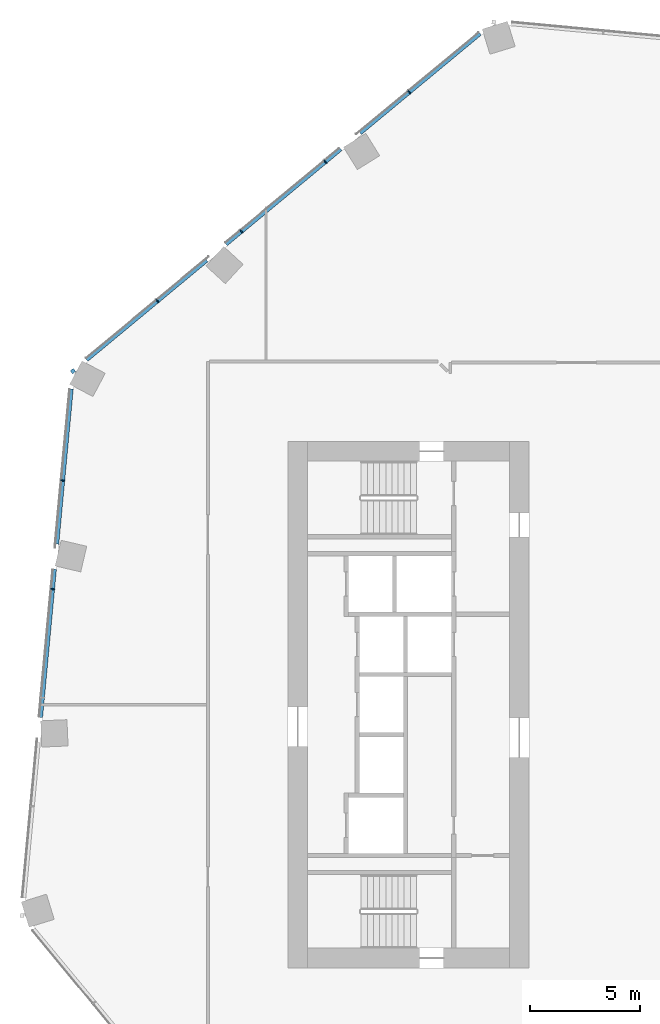
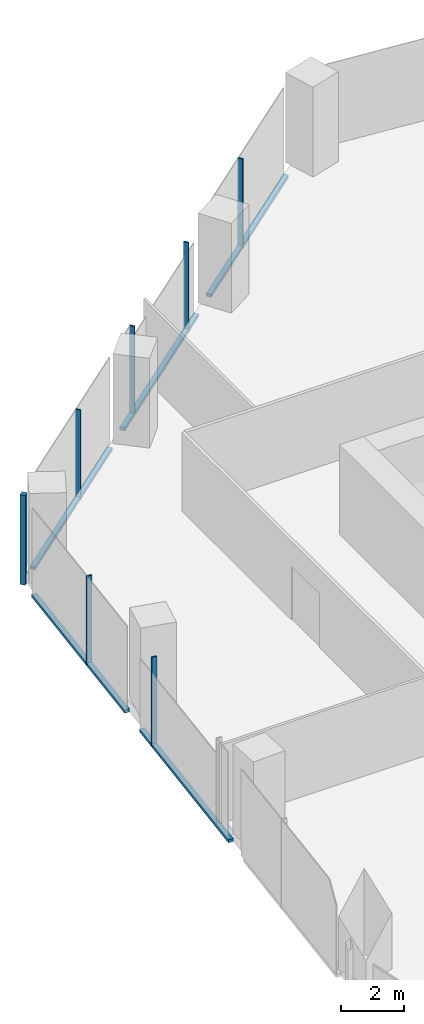
# One storey, part 10 of 23: 12 members, 2 elements without a shape of their own.
"""IFC4 building model written with IfcOpenShell, lengths in metres."""

from ifc_helpers import new_model, si_unit, direction, frame, origin, origin_2d, place, context, subcontext, project, spatial, rectangle, extrude, material, material_profile, profile_set, type_object, element, aggregate, save


model = new_model("IFC4")

# Units and contexts
model_context = context("Model", 3, precision=1e-05, world=origin(), true_north=direction((0.0, 1.0)))
body_context = subcontext(model_context, "Body", "Model", "MODEL_VIEW")
ifc_project = project(units=[si_unit("LENGTHUNIT", "METRE"), si_unit("AREAUNIT", "SQUARE_METRE"), si_unit("VOLUMEUNIT", "CUBIC_METRE"), si_unit("PLANEANGLEUNIT", "RADIAN"), si_unit("MASSUNIT", "GRAM", prefix="KILO")], contexts=[model_context])

# Site, building, storey
site_placement = place(None, origin())
site = spatial("IfcSite", under=ifc_project, at=site_placement, CompositionType="ELEMENT")
building_placement = place(site_placement, origin())
building = spatial("IfcBuilding", under=site, at=building_placement, Name="Orlundy Tower", CompositionType="ELEMENT")
storey_placement = place(building_placement, frame((0.0, 0.0, 181.10009765625)))
storey = spatial("IfcBuildingStorey", under=building, at=storey_placement, Name="L47", CompositionType="ELEMENT", Elevation=181.10009765625)

# Curtain wall, member
ifc_material_1 = material(Name="Aluminium bronze anodised", Category="aluminium")
curtain_wall_type = type_object("IfcCurtainWallType", Name="CW1 wall", PredefinedType="NOTDEFINED", material=ifc_material_1)
curtain_wall_1_placement = place(storey_placement, origin())
curtain_wall_1 = element("IfcCurtainWall", 1, at=curtain_wall_1_placement, inside=storey, type_object=curtain_wall_type, Name="CW1 run 03", PredefinedType="NOTDEFINED")
ifc_material_2 = material(Name="Aluminium bronze anodised", Category="aluminium")
ifc_material_profile_1 = material_profile(ifc_material_2, rectangle(XDim=0.179931640625, YDim=0.179931640625, at=origin_2d()), Name="CW1 corner post 180x180")
ifc_profile_set_1 = profile_set([ifc_material_profile_1], Name="Aluminium bronze anodised")
member_type_1 = type_object("IfcMemberType", Name="CW1 corner post 180x180", PredefinedType="MULLION", material=ifc_profile_set_1)
member_1_placement = place(storey_placement, frame((-28.801025390625, 15.20654296875, -0.420166015625), z_axis=(0.0, 0.0, 1.0), x_axis=(-0.638318424445, 0.769772426769, 0.0)))
member_1 = element("IfcMember", 2, at=member_1_placement, type_object=member_type_1, Name="CW1 mullion 14", PredefinedType="MULLION", context=body_context, shape_type="SweptSolid", body=[
    extrude(rectangle(XDim=0.179931640625, YDim=0.179931640625, at=origin_2d()), origin(), (0.0, 0.0, 1.0), 3.5),
])

# Curtain wall, members
curtain_wall_2_placement = place(storey_placement, origin())
curtain_wall_2 = element("IfcCurtainWall", 3, at=curtain_wall_2_placement, inside=storey, type_object=curtain_wall_type, Name="CW1 run 02", PredefinedType="NOTDEFINED")
ifc_material_3 = material(Name="Aluminium bronze anodised", Category="aluminium")
ifc_material_profile_2 = material_profile(ifc_material_3, rectangle(XDim=0.179931640625, YDim=0.050048828125, at=origin_2d()), Name="CW1 mullion 50x180")
ifc_profile_set_2 = profile_set([ifc_material_profile_2], Name="Aluminium bronze anodised")
member_type_2 = type_object("IfcMemberType", Name="CW1 mullion 50x180", PredefinedType="MULLION", material=ifc_profile_set_2)
member_2_placement = place(storey_placement, frame((-29.728515625, 5.271484375, -0.420166015625), z_axis=(0.0, 0.0, 1.0), x_axis=(-0.995670958136, 0.092948066811, 0.0)))
member_2 = element("IfcMember", 4, at=member_2_placement, type_object=member_type_2, Name="CW1 mullion 12", PredefinedType="MULLION", context=body_context, shape_type="SweptSolid", body=[
    extrude(rectangle(XDim=0.179931640625, YDim=0.050048828125, at=origin_2d()), origin(), (0.0, 0.0, 1.0), 3.5),
])
member_3_placement = place(storey_placement, frame((-29.2666015625, 10.220458984375, -0.420166015625), z_axis=(0.0, 0.0, 1.0), x_axis=(-0.995670958136, 0.092948066811, 0.0)))
member_3 = element("IfcMember", 5, at=member_3_placement, type_object=member_type_2, Name="CW1 mullion 13", PredefinedType="MULLION", context=body_context, shape_type="SweptSolid", body=[
    extrude(rectangle(XDim=0.179931640625, YDim=0.050048828125, at=origin_2d()), origin(), (0.0, 0.0, 1.0), 3.5),
])

# Member
member_4_placement = place(storey_placement, frame((-24.9462890625, 18.403076171875, -0.420166015625), z_axis=(0.0, 0.0, 1.0), x_axis=(-0.638318424445, 0.769772426769, 0.0)))
member_4 = element("IfcMember", 6, at=member_4_placement, type_object=member_type_2, Name="CW1 mullion 15", PredefinedType="MULLION", context=body_context, shape_type="SweptSolid", body=[
    extrude(rectangle(XDim=0.179931640625, YDim=0.050048828125, at=origin_2d()), origin(), (0.0, 0.0, 1.0), 3.5),
])

member_5_placement = place(storey_placement, frame((-21.1201171875, 21.575927734375, -0.420166015625), z_axis=(0.0, 0.0, 1.0), x_axis=(-0.638318424445, 0.769772426769, 0.0)))
member_5 = element("IfcMember", 7, at=member_5_placement, type_object=member_type_2, Name="CW1 mullion 16", PredefinedType="MULLION", context=body_context, shape_type="SweptSolid", body=[
    extrude(rectangle(XDim=0.179931640625, YDim=0.050048828125, at=origin_2d()), origin(), (0.0, 0.0, 1.0), 3.5),
])

member_6_placement = place(storey_placement, frame((-17.2939453125, 24.748779296875, -0.420166015625), z_axis=(0.0, 0.0, 1.0), x_axis=(-0.638318424445, 0.769772426769, 0.0)))
member_6 = element("IfcMember", 8, at=member_6_placement, type_object=member_type_2, Name="CW1 mullion 17", PredefinedType="MULLION", context=body_context, shape_type="SweptSolid", body=[
    extrude(rectangle(XDim=0.179931640625, YDim=0.050048828125, at=origin_2d()), origin(), (0.0, 0.0, 1.0), 3.5),
])

member_7_placement = place(storey_placement, frame((-13.467529296875, 27.92138671875, -0.420166015625), z_axis=(0.0, 0.0, 1.0), x_axis=(-0.638318424445, 0.769772426769, 0.0)))
member_7 = element("IfcMember", 9, at=member_7_placement, type_object=member_type_2, Name="CW1 mullion 18", PredefinedType="MULLION", context=body_context, shape_type="SweptSolid", body=[
    extrude(rectangle(XDim=0.179931640625, YDim=0.050048828125, at=origin_2d()), origin(), (0.0, 0.0, 1.0), 3.5),
])

ifc_material_4 = material(Name="Aluminium bronze anodised", Category="aluminium")
ifc_material_profile_3 = material_profile(ifc_material_4, rectangle(XDim=0.179931640625, YDim=0.1201171875, at=origin_2d()), Name="CW1 transom 180x120")
ifc_profile_set_3 = profile_set([ifc_material_profile_3], Name="Aluminium bronze anodised")
member_type_3 = type_object("IfcMemberType", Name="CW1 transom 180x120", PredefinedType="USERDEFINED", material=ifc_profile_set_3)
member_8_placement = place(storey_placement, frame((-30.275390625, -0.5859375, -0.360107421875), z_axis=(0.092955574003, 0.995670257295, 0.0), x_axis=(-0.995670257295, 0.092955574003, 0.0)))
member_8 = element("IfcMember", 10, at=member_8_placement, type_object=member_type_3, Name="CW1 transom", ObjectType="TRANSOM", PredefinedType="USERDEFINED", context=body_context, shape_type="SweptSolid", body=[
    extrude(rectangle(XDim=0.179931640625, YDim=0.1201171875, at=origin_2d()), origin(), (0.0, 0.0, 1.0), 6.79443359375),
])

member_9_placement = place(storey_placement, frame((-29.537353515625, 7.31982421875, -0.360107421875), z_axis=(0.092928997665, 0.995672738099, 0.0), x_axis=(-0.995672738099, 0.092928997665, 0.0)))
member_9 = element("IfcMember", 11, at=member_9_placement, type_object=member_type_3, Name="CW1 transom", ObjectType="TRANSOM", PredefinedType="USERDEFINED", context=body_context, shape_type="SweptSolid", body=[
    extrude(rectangle(XDim=0.179931640625, YDim=0.1201171875, at=origin_2d()), origin(), (0.0, 0.0, 1.0), 7.109130859375),
])

aggregate(curtain_wall_2, [member_2, member_3, member_8, member_9])

member_10_placement = place(storey_placement, frame((-28.17626953125, 15.724609375, -0.360107421875), z_axis=(0.769770309504, 0.638320977726, 0.0), x_axis=(-0.638320977726, 0.769770309504, 0.0)))
member_10 = element("IfcMember", 12, at=member_10_placement, type_object=member_type_3, Name="CW1 transom", ObjectType="TRANSOM", PredefinedType="USERDEFINED", context=body_context, shape_type="SweptSolid", body=[
    extrude(rectangle(XDim=0.179931640625, YDim=0.1201171875, at=origin_2d()), origin(), (0.0, 0.0, 1.0), 7.10791015625),
])

member_11_placement = place(storey_placement, frame((-21.822021484375, 20.99365234375, -0.360107421875), z_axis=(0.769750639543, 0.638344697576, 0.0), x_axis=(-0.638344697576, 0.769750639543, 0.0)))
member_11 = element("IfcMember", 13, at=member_11_placement, type_object=member_type_3, Name="CW1 transom", ObjectType="TRANSOM", PredefinedType="USERDEFINED", context=body_context, shape_type="SweptSolid", body=[
    extrude(rectangle(XDim=0.179931640625, YDim=0.1201171875, at=origin_2d()), origin(), (0.0, 0.0, 1.0), 6.79443359375),
])

member_12_placement = place(storey_placement, frame((-15.70849609375, 26.063232421875, -0.360107421875), z_axis=(0.769773191659, 0.638317502035, 0.0), x_axis=(-0.638317502035, 0.769773191659, 0.0)))
member_12 = element("IfcMember", 14, at=member_12_placement, type_object=member_type_3, Name="CW1 transom", ObjectType="TRANSOM", PredefinedType="USERDEFINED", context=body_context, shape_type="SweptSolid", body=[
    extrude(rectangle(XDim=0.179931640625, YDim=0.1201171875, at=origin_2d()), origin(), (0.0, 0.0, 1.0), 7.107421875),
])

aggregate(curtain_wall_1, [member_1, member_4, member_5, member_6, member_7, member_10, member_11, member_12])

save(model, "model.ifc")
